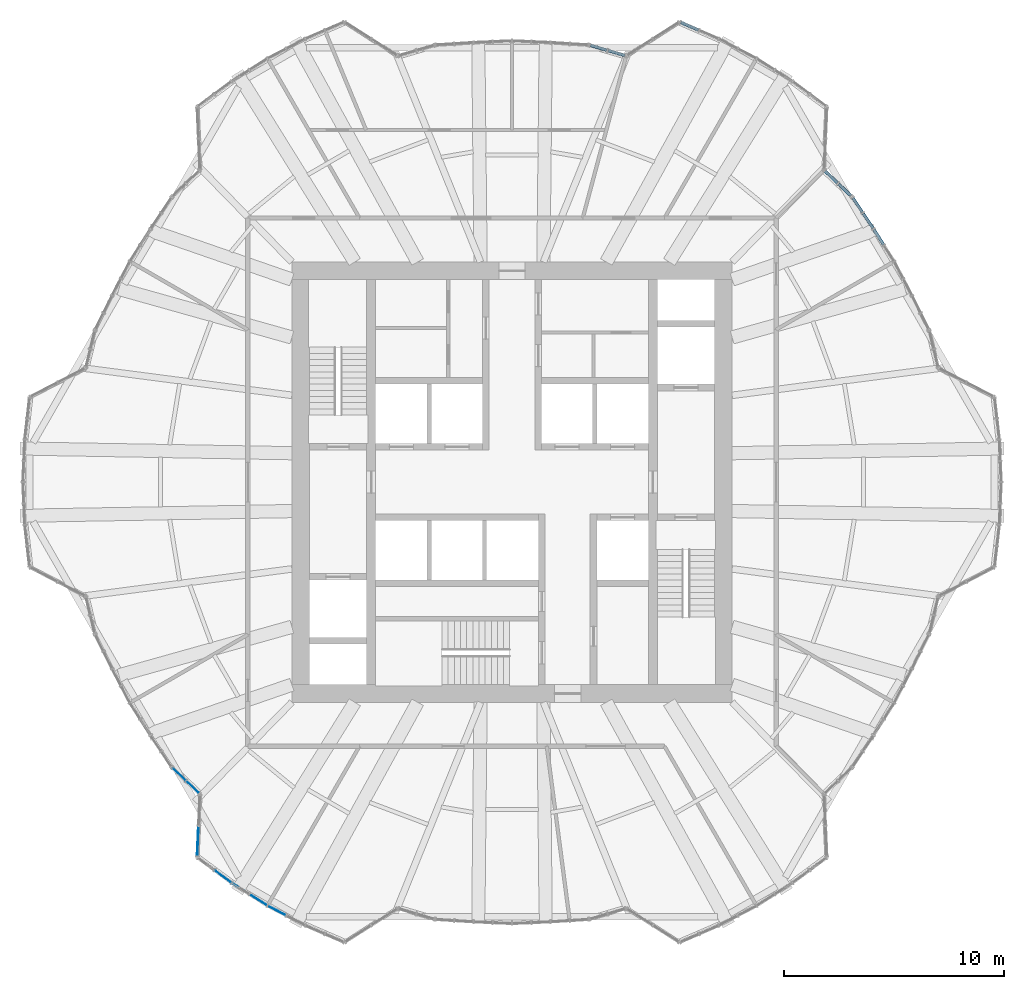
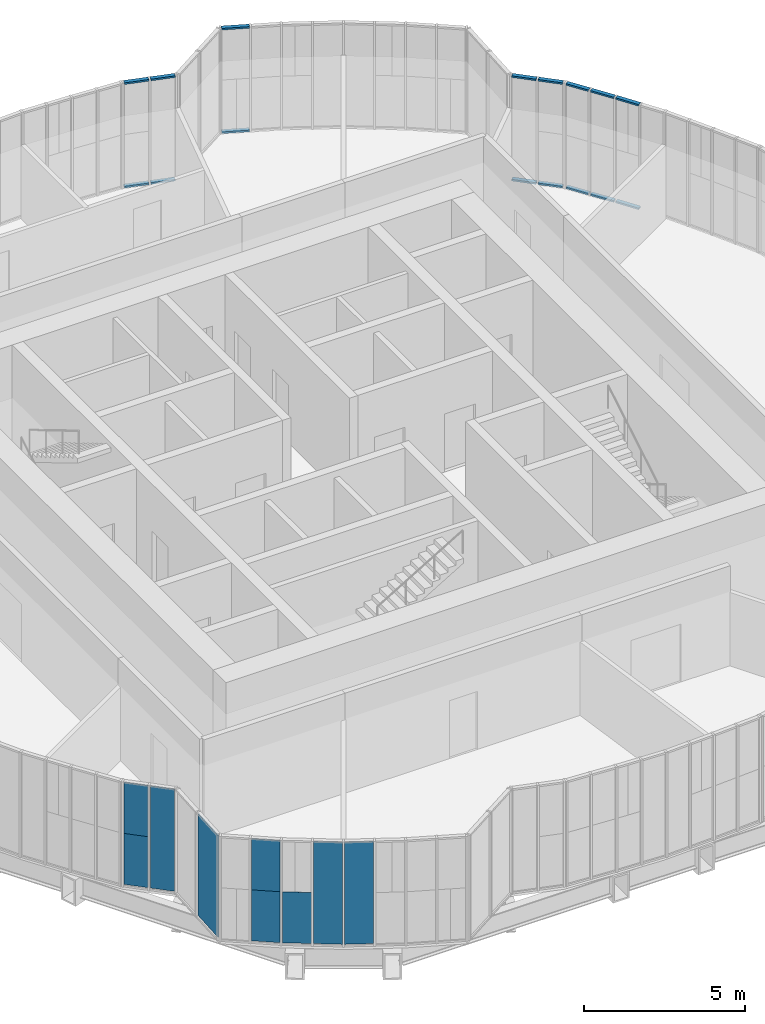
# One storey, part 12 of 24: 16 members, 9 plates, 10 elements without a shape of their own.
"""IFC4 building model written with IfcOpenShell, lengths in metres."""

from ifc_helpers import new_model, si_unit, direction, frame, origin, origin_2d, place, context, subcontext, project, spatial, rectangle, extrude, material, layer, layer_set, material_profile, profile_set, type_object, element, aggregate, save


model = new_model("IFC4")

# Units and contexts
model_context = context("Model", 3, precision=1e-05, world=origin(), true_north=direction((0.0, 1.0)))
body_context = subcontext(model_context, "Body", "Model", "MODEL_VIEW")
ifc_project = project(units=[si_unit("LENGTHUNIT", "METRE"), si_unit("AREAUNIT", "SQUARE_METRE"), si_unit("VOLUMEUNIT", "CUBIC_METRE"), si_unit("PLANEANGLEUNIT", "RADIAN"), si_unit("MASSUNIT", "GRAM", prefix="KILO")], contexts=[model_context])

# Site, building, storey
site_placement = place(None, origin())
site = spatial("IfcSite", under=ifc_project, at=site_placement, CompositionType="ELEMENT")
building_placement = place(site_placement, origin())
building = spatial("IfcBuilding", under=site, at=building_placement, Name="Golbaran Civic Tower", CompositionType="ELEMENT")
storey_placement = place(building_placement, frame((0.0, 0.0, 25.0)))
storey = spatial("IfcBuildingStorey", under=building, at=storey_placement, Name="L05", CompositionType="ELEMENT", Elevation=25.0)

# Curtain wall, members
ifc_material_1 = material(Name="Aluminium and glass", Category="aluminium")
curtain_wall_type = type_object("IfcCurtainWallType", Name="INNER SKIN CURTAIN WALL", PredefinedType="NOTDEFINED", material=ifc_material_1)
curtain_wall_1_placement = place(storey_placement, origin())
curtain_wall_1 = element("IfcCurtainWall", 1, at=curtain_wall_1_placement, inside=storey, type_object=curtain_wall_type, Name="Inner skin L05 facet 7 CW1", ObjectType="INNER SKIN", PredefinedType="USERDEFINED")
ifc_material_2 = material(Name="Aluminium", Category="aluminium")
ifc_material_profile = material_profile(ifc_material_2, rectangle(XDim=0.139892578125, YDim=0.06494140625, at=origin_2d()), Name="INNER SKIN CURTAIN WALL TRANSOM")
ifc_profile_set = profile_set([ifc_material_profile], Name="Aluminium")
member_type = type_object("IfcMemberType", Name="INNER SKIN CURTAIN WALL TRANSOM", PredefinedType="USERDEFINED", material=ifc_profile_set)
member_1_placement = place(storey_placement, frame((16.8740234375, 10.788330078125, 0.032470703125), z_axis=(-0.537324161916, 0.843375802962, 0.0), x_axis=(-0.843375802962, -0.537324161916, 0.0)))
member_1 = element("IfcMember", 2, at=member_1_placement, type_object=member_type, Name="CW1 transom 2.1", ObjectType="TRANSOM", PredefinedType="USERDEFINED", context=body_context, shape_type="SweptSolid", body=[
    extrude(rectangle(XDim=0.139892578125, YDim=0.06494140625, at=origin_2d()), origin(), (0.0, 0.0, 1.0), 0.8095703125),
])
member_2_placement = place(storey_placement, frame((16.8740234375, 10.788330078125, 3.967529296875), z_axis=(-0.537324161916, 0.843375802962, 0.0), x_axis=(-0.843375802962, -0.537324161916, 0.0)))
member_2 = element("IfcMember", 3, at=member_2_placement, type_object=member_type, Name="CW1 transom 2.2", ObjectType="TRANSOM", PredefinedType="USERDEFINED", context=body_context, shape_type="SweptSolid", body=[
    extrude(rectangle(XDim=0.139892578125, YDim=0.06494140625, at=origin_2d()), origin(), (0.0, 0.0, 1.0), 0.8095703125),
])
aggregate(curtain_wall_1, [member_1, member_2])

curtain_wall_2_placement = place(storey_placement, origin())
curtain_wall_2 = element("IfcCurtainWall", 4, at=curtain_wall_2_placement, inside=storey, type_object=curtain_wall_type, Name="Inner skin L05 facet 8 CW1", ObjectType="INNER SKIN", PredefinedType="USERDEFINED")
member_3_placement = place(storey_placement, frame((16.403564453125, 11.525634765625, 0.032470703125), z_axis=(-0.553730710474, 0.832695802966, 0.0), x_axis=(-0.832695802966, -0.553730710474, 0.0)))
member_3 = element("IfcMember", 5, at=member_3_placement, type_object=member_type, Name="CW1 transom 1.1", ObjectType="TRANSOM", PredefinedType="USERDEFINED", context=body_context, shape_type="SweptSolid", body=[
    extrude(rectangle(XDim=0.139892578125, YDim=0.06494140625, at=origin_2d()), origin(), (0.0, 0.0, 1.0), 0.81396484375),
])
member_4_placement = place(storey_placement, frame((16.403564453125, 11.525634765625, 3.967529296875), z_axis=(-0.553730710474, 0.832695802966, 0.0), x_axis=(-0.832695802966, -0.553730710474, 0.0)))
member_4 = element("IfcMember", 6, at=member_4_placement, type_object=member_type, Name="CW1 transom 1.2", ObjectType="TRANSOM", PredefinedType="USERDEFINED", context=body_context, shape_type="SweptSolid", body=[
    extrude(rectangle(XDim=0.139892578125, YDim=0.06494140625, at=origin_2d()), origin(), (0.0, 0.0, 1.0), 0.81396484375),
])
member_5_placement = place(storey_placement, frame((15.916748046875, 12.257568359375, 0.032470703125), z_axis=(-0.553546241668, 0.8328184426, 0.0), x_axis=(-0.8328184426, -0.553546241668, 0.0)))
member_5 = element("IfcMember", 7, at=member_5_placement, type_object=member_type, Name="CW1 transom 2.1", ObjectType="TRANSOM", PredefinedType="USERDEFINED", context=body_context, shape_type="SweptSolid", body=[
    extrude(rectangle(XDim=0.139892578125, YDim=0.06494140625, at=origin_2d()), origin(), (0.0, 0.0, 1.0), 0.781494140625),
])
member_6_placement = place(storey_placement, frame((15.916748046875, 12.257568359375, 3.967529296875), z_axis=(-0.553546241668, 0.8328184426, 0.0), x_axis=(-0.8328184426, -0.553546241668, 0.0)))
member_6 = element("IfcMember", 8, at=member_6_placement, type_object=member_type, Name="CW1 transom 2.2", ObjectType="TRANSOM", PredefinedType="USERDEFINED", context=body_context, shape_type="SweptSolid", body=[
    extrude(rectangle(XDim=0.139892578125, YDim=0.06494140625, at=origin_2d()), origin(), (0.0, 0.0, 1.0), 0.781494140625),
])
aggregate(curtain_wall_2, [member_3, member_4, member_5, member_6])

curtain_wall_3_placement = place(storey_placement, origin())
curtain_wall_3 = element("IfcCurtainWall", 9, at=curtain_wall_3_placement, inside=storey, type_object=curtain_wall_type, Name="Inner skin L05 facet 9 CW1", ObjectType="INNER SKIN", PredefinedType="USERDEFINED")
member_7_placement = place(storey_placement, frame((15.40087890625, 13.00732421875, 0.032470703125), z_axis=(-0.723929850594, 0.689873590898, 0.0), x_axis=(-0.689873590898, -0.723929850594, 0.0)))
member_7 = element("IfcMember", 10, at=member_7_placement, type_object=member_type, Name="CW1 transom 1.1", ObjectType="TRANSOM", PredefinedType="USERDEFINED", context=body_context, shape_type="SweptSolid", body=[
    extrude(rectangle(XDim=0.139892578125, YDim=0.06494140625, at=origin_2d()), origin(), (0.0, 0.0, 1.0), 0.781494140625),
])
member_8_placement = place(storey_placement, frame((15.40087890625, 13.00732421875, 3.967529296875), z_axis=(-0.723929850594, 0.689873590898, 0.0), x_axis=(-0.689873590898, -0.723929850594, 0.0)))
member_8 = element("IfcMember", 11, at=member_8_placement, type_object=member_type, Name="CW1 transom 1.2", ObjectType="TRANSOM", PredefinedType="USERDEFINED", context=body_context, shape_type="SweptSolid", body=[
    extrude(rectangle(XDim=0.139892578125, YDim=0.06494140625, at=origin_2d()), origin(), (0.0, 0.0, 1.0), 0.781494140625),
])
member_9_placement = place(storey_placement, frame((14.7880859375, 13.59130859375, 0.032470703125), z_axis=(-0.72377382553, 0.690037281223, 0.0), x_axis=(-0.690037281223, -0.72377382553, 0.0)))
member_9 = element("IfcMember", 12, at=member_9_placement, type_object=member_type, Name="CW1 transom 2.1", ObjectType="TRANSOM", PredefinedType="USERDEFINED", context=body_context, shape_type="SweptSolid", body=[
    extrude(rectangle(XDim=0.139892578125, YDim=0.06494140625, at=origin_2d()), origin(), (0.0, 0.0, 1.0), 0.781494140625),
])
member_10_placement = place(storey_placement, frame((14.7880859375, 13.59130859375, 3.967529296875), z_axis=(-0.72377382553, 0.690037281223, 0.0), x_axis=(-0.690037281223, -0.72377382553, 0.0)))
member_10 = element("IfcMember", 13, at=member_10_placement, type_object=member_type, Name="CW1 transom 2.2", ObjectType="TRANSOM", PredefinedType="USERDEFINED", context=body_context, shape_type="SweptSolid", body=[
    extrude(rectangle(XDim=0.139892578125, YDim=0.06494140625, at=origin_2d()), origin(), (0.0, 0.0, 1.0), 0.781494140625),
])
aggregate(curtain_wall_3, [member_7, member_8, member_9, member_10])

curtain_wall_4_placement = place(storey_placement, origin())
curtain_wall_4 = element("IfcCurtainWall", 14, at=curtain_wall_4_placement, inside=storey, type_object=curtain_wall_type, Name="Inner skin L05 facet 14 CW1", ObjectType="INNER SKIN", PredefinedType="USERDEFINED")
member_11_placement = place(storey_placement, frame((8.470947265625, 20.537353515625, 0.032470703125), z_axis=(-0.917589642421, 0.397528927402, 0.0), x_axis=(-0.397528927402, -0.917589642421, 0.0)))
member_11 = element("IfcMember", 15, at=member_11_placement, type_object=member_type, Name="CW1 transom 2.1", ObjectType="TRANSOM", PredefinedType="USERDEFINED", context=body_context, shape_type="SweptSolid", body=[
    extrude(rectangle(XDim=0.139892578125, YDim=0.06494140625, at=origin_2d()), origin(), (0.0, 0.0, 1.0), 0.872802734375),
])
member_12_placement = place(storey_placement, frame((8.470947265625, 20.537353515625, 3.967529296875), z_axis=(-0.917589642421, 0.397528927402, 0.0), x_axis=(-0.397528927402, -0.917589642421, 0.0)))
member_12 = element("IfcMember", 16, at=member_12_placement, type_object=member_type, Name="CW1 transom 2.2", ObjectType="TRANSOM", PredefinedType="USERDEFINED", context=body_context, shape_type="SweptSolid", body=[
    extrude(rectangle(XDim=0.139892578125, YDim=0.06494140625, at=origin_2d()), origin(), (0.0, 0.0, 1.0), 0.872802734375),
])
aggregate(curtain_wall_4, [member_11, member_12])

curtain_wall_5_placement = place(storey_placement, origin())
curtain_wall_5 = element("IfcCurtainWall", 17, at=curtain_wall_5_placement, inside=storey, type_object=curtain_wall_type, Name="Inner skin L05 facet 16 CW1", ObjectType="INNER SKIN", PredefinedType="USERDEFINED")
member_13_placement = place(storey_placement, frame((5.126220703125, 19.38232421875, 0.032470703125), z_axis=(-0.959469910525, 0.28181109062, 0.0), x_axis=(-0.28181109062, -0.959469910525, 0.0)))
member_13 = element("IfcMember", 18, at=member_13_placement, type_object=member_type, Name="CW1 transom 1.1", ObjectType="TRANSOM", PredefinedType="USERDEFINED", context=body_context, shape_type="SweptSolid", body=[
    extrude(rectangle(XDim=0.139892578125, YDim=0.06494140625, at=origin_2d()), origin(), (0.0, 0.0, 1.0), 0.781494140625),
])
member_14_placement = place(storey_placement, frame((5.126220703125, 19.38232421875, 3.967529296875), z_axis=(-0.959469910525, 0.28181109062, 0.0), x_axis=(-0.28181109062, -0.959469910525, 0.0)))
member_14 = element("IfcMember", 19, at=member_14_placement, type_object=member_type, Name="CW1 transom 1.2", ObjectType="TRANSOM", PredefinedType="USERDEFINED", context=body_context, shape_type="SweptSolid", body=[
    extrude(rectangle(XDim=0.139892578125, YDim=0.06494140625, at=origin_2d()), origin(), (0.0, 0.0, 1.0), 0.781494140625),
])
member_15_placement = place(storey_placement, frame((4.31396484375, 19.620849609375, 0.032470703125), z_axis=(-0.959385397379, 0.282098669434, 0.0), x_axis=(-0.282098669434, -0.959385397379, 0.0)))
member_15 = element("IfcMember", 20, at=member_15_placement, type_object=member_type, Name="CW1 transom 2.1", ObjectType="TRANSOM", PredefinedType="USERDEFINED", context=body_context, shape_type="SweptSolid", body=[
    extrude(rectangle(XDim=0.139892578125, YDim=0.06494140625, at=origin_2d()), origin(), (0.0, 0.0, 1.0), 0.781494140625),
])
member_16_placement = place(storey_placement, frame((4.31396484375, 19.620849609375, 3.967529296875), z_axis=(-0.959385397379, 0.282098669434, 0.0), x_axis=(-0.282098669434, -0.959385397379, 0.0)))
member_16 = element("IfcMember", 21, at=member_16_placement, type_object=member_type, Name="CW1 transom 2.2", ObjectType="TRANSOM", PredefinedType="USERDEFINED", context=body_context, shape_type="SweptSolid", body=[
    extrude(rectangle(XDim=0.139892578125, YDim=0.06494140625, at=origin_2d()), origin(), (0.0, 0.0, 1.0), 0.781494140625),
])
aggregate(curtain_wall_5, [member_13, member_14, member_15, member_16])

# Curtain wall, plates
curtain_wall_6_placement = place(storey_placement, origin())
curtain_wall_6 = element("IfcCurtainWall", 22, at=curtain_wall_6_placement, inside=storey, type_object=curtain_wall_type, Name="Inner skin L05 facet 45 CW1", ObjectType="INNER SKIN", PredefinedType="USERDEFINED")
ifc_material_3 = material(Name="Clear insulating glass", Category="glass")
ifc_layer_1 = layer(ifc_material_3, 0.031982421875, Name="Clear insulating glass")
ifc_layer_set_1 = layer_set([ifc_layer_1], Name="Clear insulating glass")
plate_type_1 = type_object("IfcPlateType", Name="INNER SKIN CURTAIN WALL GLAZED PANEL", PredefinedType="CURTAIN_PANEL", material=ifc_layer_set_1)
plate_1_placement = place(storey_placement, frame((-15.1181640625, -13.27685546875, 0.06494140625), z_axis=(0.0, 0.0, 1.0), x_axis=(0.723900401463, -0.689904492493, 0.0)))
plate_1 = element("IfcPlate", 23, at=plate_1_placement, type_object=plate_type_1, Name="CW1 panel 1.1 part 1", PredefinedType="CURTAIN_PANEL", context=body_context, shape_type="SweptSolid", body=[
    extrude(rectangle(XDim=0.781494140625, YDim=0.031982421875, at=origin_2d()), origin(), (0.0, 0.0, 1.0), 1.93505859375),
])
plate_2_placement = place(storey_placement, frame((-14.50537109375, -13.86083984375, 0.06494140625), z_axis=(0.0, 0.0, 1.0), x_axis=(0.723900401463, -0.689904492493, 0.0)))
plate_2 = element("IfcPlate", 24, at=plate_2_placement, type_object=plate_type_1, Name="CW1 panel 2.1", PredefinedType="CURTAIN_PANEL", context=body_context, shape_type="SweptSolid", body=[
    extrude(rectangle(XDim=0.781494140625, YDim=0.031982421875, at=origin_2d()), origin(), (0.0, 0.0, 1.0), 3.8701171875),
])

# Curtain wall, plate
curtain_wall_7_placement = place(storey_placement, origin())
curtain_wall_7 = element("IfcCurtainWall", 25, at=curtain_wall_7_placement, inside=storey, type_object=curtain_wall_type, Name="Inner skin L05 facet 46 CW1", ObjectType="INNER SKIN", PredefinedType="USERDEFINED")
plate_3_placement = place(storey_placement, frame((-14.2705078125, -16.31201171875, 0.06494140625), z_axis=(0.0, 0.0, 1.0), x_axis=(-0.044524171678, -0.999008307341, 0.0)))
plate_3 = element("IfcPlate", 26, at=plate_3_placement, type_object=plate_type_1, Name="CW1 panel 2.1", PredefinedType="CURTAIN_PANEL", context=body_context, shape_type="SweptSolid", body=[
    extrude(rectangle(XDim=1.33935546875, YDim=0.031982421875, at=origin_2d()), origin(), (0.0, 0.0, 1.0), 3.8701171875),
])
aggregate(curtain_wall_7, [plate_3])

curtain_wall_8_placement = place(storey_placement, origin())
curtain_wall_8 = element("IfcCurtainWall", 27, at=curtain_wall_8_placement, inside=storey, type_object=curtain_wall_type, Name="Inner skin L05 facet 48 CW1", ObjectType="INNER SKIN", PredefinedType="USERDEFINED")
plate_4_placement = place(storey_placement, frame((-11.519287109375, -18.983642578125, 0.06494140625), z_axis=(0.0, 0.0, 1.0), x_axis=(0.843391445869, -0.537299608259, 0.0)))
plate_4 = element("IfcPlate", 28, at=plate_4_placement, type_object=plate_type_1, Name="CW1 panel 2.1", PredefinedType="CURTAIN_PANEL", context=body_context, shape_type="SweptSolid", body=[
    extrude(rectangle(XDim=0.904296875, YDim=0.031982421875, at=origin_2d()), origin(), (0.0, 0.0, 1.0), 3.8701171875),
])

curtain_wall_9_placement = place(storey_placement, origin())
curtain_wall_9 = element("IfcCurtainWall", 29, at=curtain_wall_9_placement, inside=storey, type_object=curtain_wall_type, Name="Inner skin L05 facet 49 CW1", ObjectType="INNER SKIN", PredefinedType="USERDEFINED")
plate_5_placement = place(storey_placement, frame((-10.6806640625, -19.4677734375, 0.06494140625), z_axis=(0.0, 0.0, 1.0), x_axis=(0.887010833033, -0.461748613514, 0.0)))
plate_5 = element("IfcPlate", 30, at=plate_5_placement, type_object=plate_type_1, Name="CW1 panel 1.1", PredefinedType="CURTAIN_PANEL", context=body_context, shape_type="SweptSolid", body=[
    extrude(rectangle(XDim=0.904296875, YDim=0.031982421875, at=origin_2d()), origin(), (0.0, 0.0, 1.0), 3.8701171875),
])
aggregate(curtain_wall_9, [plate_5])

# Plate
ifc_material_4 = material(Name="Aluminium faced opaque infill panel", Category="aluminium")
ifc_layer_2 = layer(ifc_material_4, 0.031982421875, Name="Aluminium faced opaque infill panel")
ifc_layer_set_2 = layer_set([ifc_layer_2], Name="Aluminium faced opaque infill panel")
plate_type_2 = type_object("IfcPlateType", Name="INNER SKIN CURTAIN WALL OPAQUE INFILL PANEL", PredefinedType="CURTAIN_PANEL", material=ifc_layer_set_2)
plate_6_placement = place(storey_placement, frame((-15.1181640625, -13.27685546875, 2.0), z_axis=(0.0, 0.0, 1.0), x_axis=(0.723900401463, -0.689904492493, 0.0)))
plate_6 = element("IfcPlate", 31, at=plate_6_placement, type_object=plate_type_2, Name="CW1 infill panel 1.1 part 2", PredefinedType="CURTAIN_PANEL", context=body_context, shape_type="SweptSolid", body=[
    extrude(rectangle(XDim=0.781494140625, YDim=0.031982421875, at=origin_2d()), origin(), (0.0, 0.0, 1.0), 1.93505859375),
])

aggregate(curtain_wall_6, [plate_1, plate_6, plate_2])

# Curtain wall, plates
curtain_wall_10_placement = place(storey_placement, origin())
curtain_wall_10 = element("IfcCurtainWall", 32, at=curtain_wall_10_placement, inside=storey, type_object=curtain_wall_type, Name="Inner skin L05 facet 47 CW1", ObjectType="INNER SKIN", PredefinedType="USERDEFINED")
plate_7_placement = place(storey_placement, frame((-13.135009765625, -17.913330078125, 0.06494140625), z_axis=(0.0, 0.0, 1.0), x_axis=(0.802969962931, -0.596019495177, 0.0)))
plate_7 = element("IfcPlate", 33, at=plate_7_placement, type_object=plate_type_2, Name="CW1 infill panel 2.1 part 1", PredefinedType="CURTAIN_PANEL", context=body_context, shape_type="SweptSolid", body=[
    extrude(rectangle(XDim=0.905029296875, YDim=0.031982421875, at=origin_2d()), origin(), (0.0, 0.0, 1.0), 1.93505859375),
])
plate_8_placement = place(storey_placement, frame((-13.135009765625, -17.913330078125, 2.0), z_axis=(0.0, 0.0, 1.0), x_axis=(0.802969962931, -0.596019495177, 0.0)))
plate_8 = element("IfcPlate", 34, at=plate_8_placement, type_object=plate_type_2, Name="CW1 infill panel 2.1 part 2", PredefinedType="CURTAIN_PANEL", context=body_context, shape_type="SweptSolid", body=[
    extrude(rectangle(XDim=0.905029296875, YDim=0.031982421875, at=origin_2d()), origin(), (0.0, 0.0, 1.0), 1.93505859375),
])
aggregate(curtain_wall_10, [plate_7, plate_8])

# Plate
plate_9_placement = place(storey_placement, frame((-12.336669921875, -18.462890625, 0.06494140625), z_axis=(0.0, 0.0, 1.0), x_axis=(0.843391445869, -0.537299608259, 0.0)))
plate_9 = element("IfcPlate", 35, at=plate_9_placement, type_object=plate_type_2, Name="CW1 infill panel 1.1 part 1", PredefinedType="CURTAIN_PANEL", context=body_context, shape_type="SweptSolid", body=[
    extrude(rectangle(XDim=0.904296875, YDim=0.031982421875, at=origin_2d()), origin(), (0.0, 0.0, 1.0), 1.93505859375),
])

aggregate(curtain_wall_8, [plate_9, plate_4])

save(model, "model.ifc")
